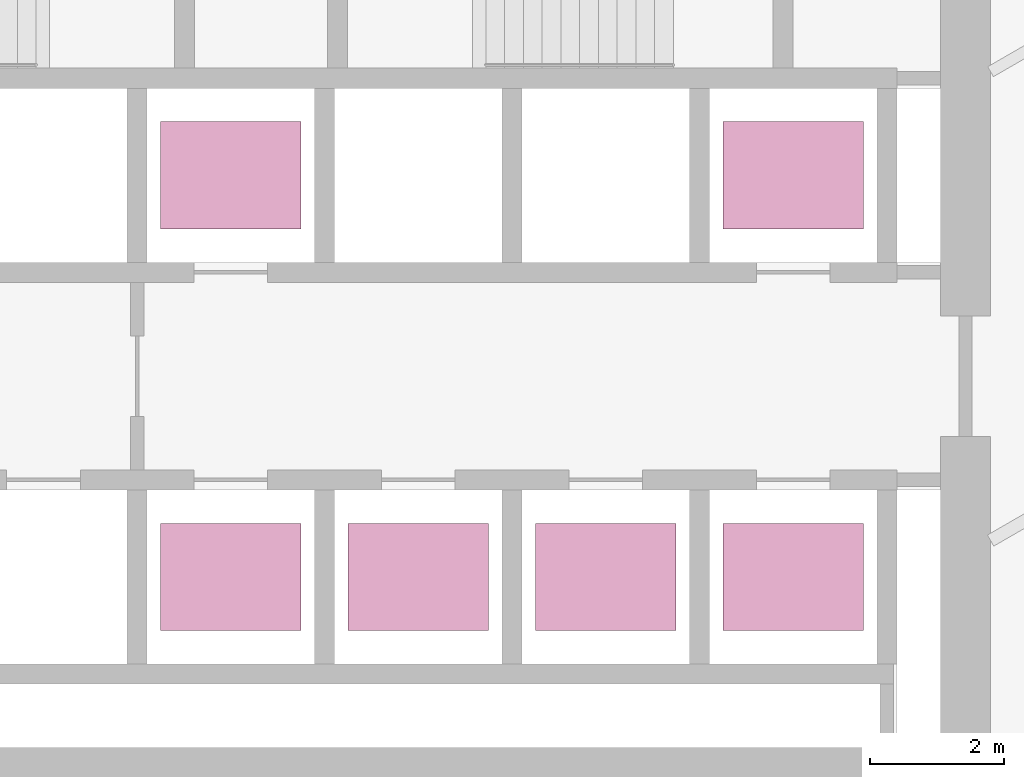
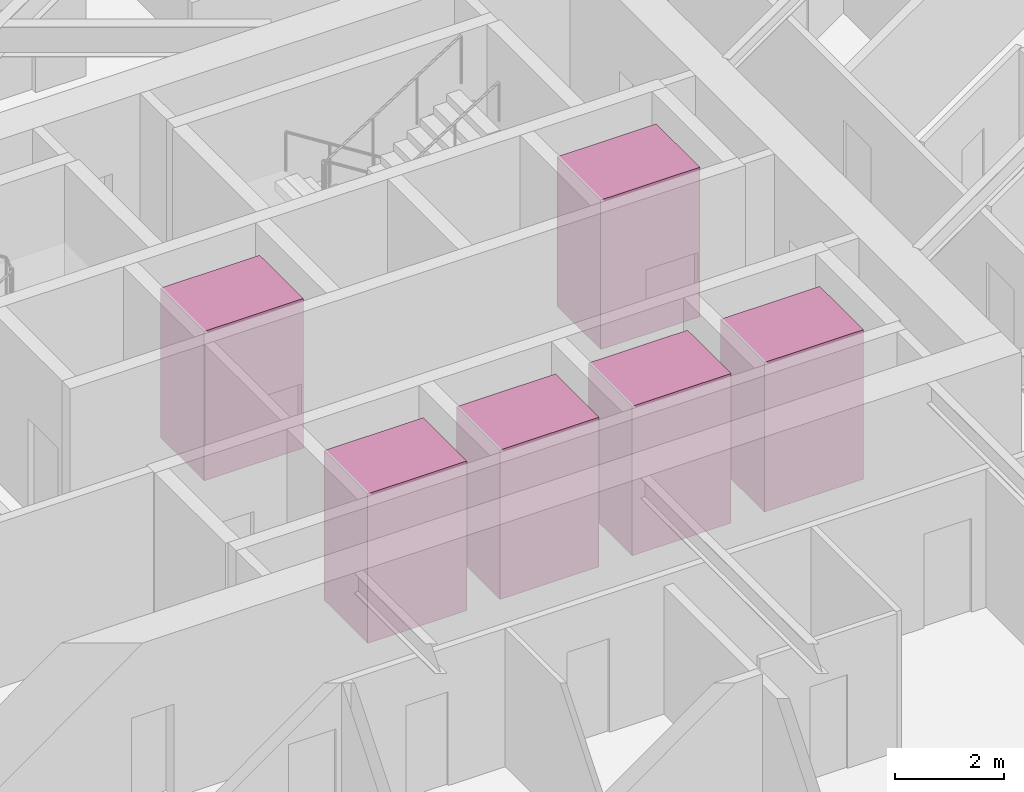
# One storey, part 26 of 26: 6 transport elements.
"""IFC4 building model written with IfcOpenShell, lengths in metres."""

from ifc_helpers import new_model, si_unit, direction, frame, origin, origin_2d, place, context, subcontext, project, spatial, rectangle, extrude, material, type_object, element, save


model = new_model("IFC4")

# Units and contexts
model_context = context("Model", 3, precision=1e-05, world=origin(), true_north=direction((0.0, 1.0)))
body_context = subcontext(model_context, "Body", "Model", "MODEL_VIEW")
ifc_project = project(units=[si_unit("LENGTHUNIT", "METRE"), si_unit("AREAUNIT", "SQUARE_METRE"), si_unit("VOLUMEUNIT", "CUBIC_METRE"), si_unit("PLANEANGLEUNIT", "RADIAN"), si_unit("MASSUNIT", "GRAM", prefix="KILO")], contexts=[model_context])

# Site, building, storey
site_placement = place(None, origin())
site = spatial("IfcSite", under=ifc_project, at=site_placement, CompositionType="ELEMENT")
building_placement = place(site_placement, origin())
building = spatial("IfcBuilding", under=site, at=building_placement, Name="Firuza Gate Tower and Library", CompositionType="ELEMENT")
storey_placement = place(building_placement, frame((0.0, 0.0, 155.800048828125)))
storey = spatial("IfcBuildingStorey", under=building, at=storey_placement, Name="L35", CompositionType="ELEMENT", Elevation=155.800048828125)

# Transport elements
ifc_material = material(Name="Stainless steel and glass", Category="steel")
transport_element_type = type_object("IfcTransportElementType", Name="Mid-rise lift car 2100x1600", PredefinedType="ELEVATOR", material=ifc_material)
for number, where, z_axis, x_axis, name in (
    (1, (74.64990234375, 70.300048828125, 0.0), (0.0, 0.0, 1.0), (1.0, 0.0, 0.0), "Mid-rise lift MR1"),
    (2, (77.449951171875, 70.300048828125, 0.0), (0.0, 0.0, 1.0), (1.0, 0.0, 0.0), "Mid-rise lift MR2"),
    (3, (80.25, 70.300048828125, 0.0), (0.0, 0.0, 1.0), (1.0, 0.0, 0.0), "Mid-rise lift MR3"),
    (4, (74.64990234375, 76.300048828125, 0.0), (0.0, 0.0, 1.0), (1.0, 0.0, 0.0), "Mid-rise lift MR4"),
    (5, (83.050048828125, 70.300048828125, 0.0), (0.0, 0.0, 1.0), (1.0, 0.0, 0.0), "Mid-rise lift MR5"),
    (6, (83.050048828125, 76.300048828125, 0.0), (0.0, 0.0, 1.0), (1.0, 0.0, 0.0), "Mid-rise lift MR6"),
):
    element("IfcTransportElement", number, at=place(storey_placement, frame(where, z_axis=z_axis, x_axis=x_axis)), inside=storey, type_object=transport_element_type, Name=name, PredefinedType="ELEVATOR", context=body_context, shape_type="SweptSolid", body=[
        extrude(rectangle(XDim=2.10009765625, YDim=1.60009765625, at=origin_2d()), origin(), (0.0, 0.0, 1.0), 3.35009765625),
    ])

save(model, "model.ifc")
